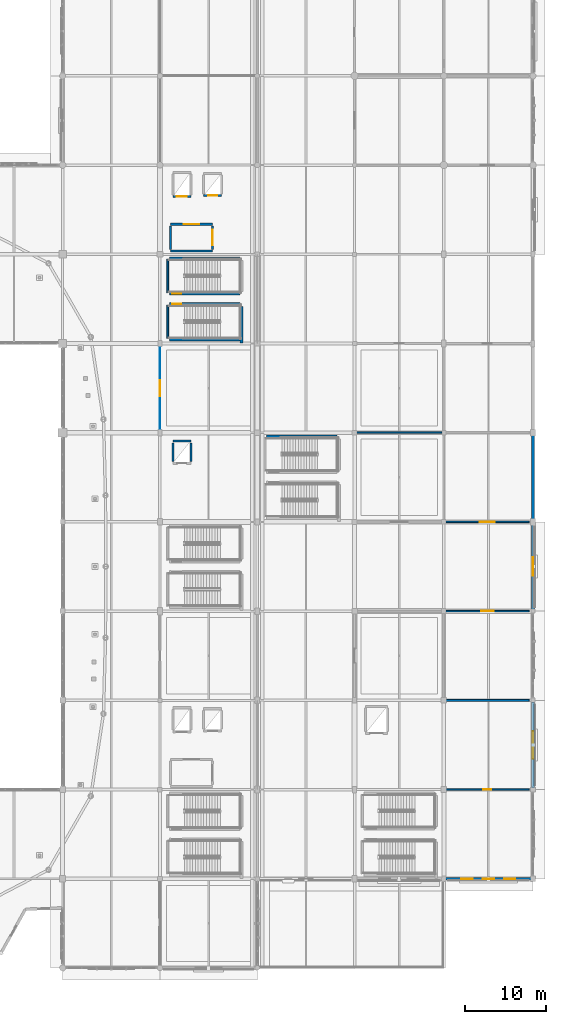
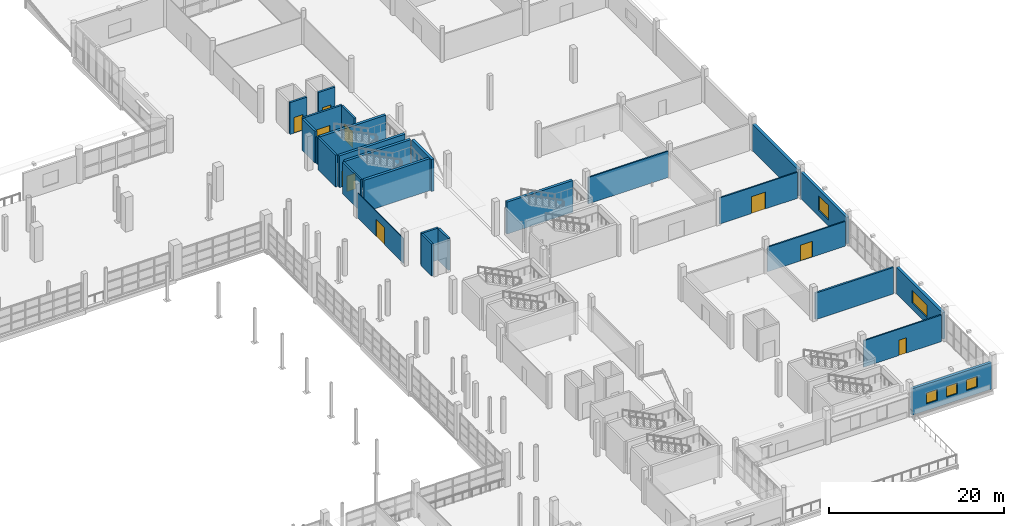
# One storey, part 99 of 143: 27 walls, 10 doors, 5 windows, 15 openings.
"""IFC4 building model written with IfcOpenShell, lengths in metres."""

from ifc_helpers import new_model, si_unit, direction, frame, frame_2d, origin, place, context, subcontext, project, spatial, rectangle, extrude, material, layer, layer_set, type_object, element, fill, save


model = new_model("IFC4")

# Units and contexts
model_context = context("Model", 3, precision=1e-05, world=origin(), true_north=direction((0.0, 1.0)))
body_context = subcontext(model_context, "Body", "Model", "MODEL_VIEW")
ifc_project = project(units=[si_unit("LENGTHUNIT", "METRE"), si_unit("AREAUNIT", "SQUARE_METRE"), si_unit("VOLUMEUNIT", "CUBIC_METRE"), si_unit("PLANEANGLEUNIT", "RADIAN"), si_unit("MASSUNIT", "GRAM", prefix="KILO")], contexts=[model_context])

# Site, building, storey
site_placement = place(None, origin())
site = spatial("IfcSite", under=ifc_project, at=site_placement, CompositionType="ELEMENT")
building_placement = place(site_placement, origin())
building = spatial("IfcBuilding", under=site, at=building_placement, Name="Luwafu Chhajja Arena", CompositionType="ELEMENT")
storey_placement = place(building_placement, frame((0.0, 0.0, 5.39990234375)))
storey = spatial("IfcBuildingStorey", under=building, at=storey_placement, Name="L01", CompositionType="ELEMENT", Elevation=5.39990234375)

# Walls
ifc_material_1 = material(Name="Concrete C40/50", Category="concrete")
ifc_layer_1 = layer(ifc_material_1, 0.3798828125, Name="Concrete C40/50")
ifc_layer_set_1 = layer_set([ifc_layer_1], Name="Concrete C40/50")
wall_type_1 = type_object("IfcWallType", Name="Boundary Party Wall 380", PredefinedType="SOLIDWALL", material=ifc_layer_set_1)
wall_1_placement = place(storey_placement, frame((198.0, 55.219970703125, 0.0), z_axis=(0.0, 0.0, 1.0), x_axis=(0.0, 1.0, 0.0)))
element("IfcWall", 1, at=wall_1_placement, inside=storey, type_object=wall_type_1, Name="L01 Exterior Wall WEX-L01-139", PredefinedType="SOLIDWALL", context=body_context, shape_type="SweptSolid", body=[
    extrude(rectangle(XDim=10.56005859375, YDim=0.3798828125, at=frame_2d((5.280029296875, 0.0))), origin(), (0.0, 0.0, 1.0), 3.705078125),
])
ifc_material_2 = material(Name="Concrete blockwork masonry", Category="masonry")
ifc_layer_2 = layer(ifc_material_2, 0.239990234375, Name="Concrete blockwork masonry")
ifc_layer_set_2 = layer_set([ifc_layer_2], Name="Concrete blockwork masonry")
wall_type_2 = type_object("IfcWallType", Name="Compartment Masonry Partition 240", PredefinedType="PARTITIONING", material=ifc_layer_set_2)
wall_2_placement = place(storey_placement, frame((187.219970703125, 33.0, 0.0), z_axis=(0.0, 0.0, 1.0), x_axis=(1.0, 0.0, 0.0)))
element("IfcWall", 2, at=wall_2_placement, inside=storey, type_object=wall_type_2, Name="L01 Internal Partition 0265", PredefinedType="PARTITIONING", context=body_context, shape_type="SweptSolid", body=[
    extrude(rectangle(XDim=10.300048828125, YDim=0.239990234375, at=frame_2d((5.14990234375, 0.0))), origin(), (0.0, 0.0, 1.0), 3.705078125),
])

# Wall, opening, door
ifc_material_3 = material(Name="Gypsum plasterboard partition")
ifc_layer_3 = layer(ifc_material_3, 0.10009765625, Name="Gypsum plasterboard partition")
ifc_layer_set_3 = layer_set([ifc_layer_3], Name="Gypsum plasterboard partition")
wall_type_3 = type_object("IfcWallType", Name="Drywall Lining Partition 100", PredefinedType="PARTITIONING", material=ifc_layer_set_3)
wall_3_placement = place(storey_placement, frame((152.0, 66.219970703125, 0.0), z_axis=(0.0, 0.0, 1.0), x_axis=(0.0, 1.0, 0.0)))
wall_3 = element("IfcWall", 3, at=wall_3_placement, inside=storey, type_object=wall_type_3, Name="L01 Internal Partition 0232", PredefinedType="PARTITIONING", context=body_context, shape_type="SweptSolid", body=[
    extrude(rectangle(XDim=10.56005859375, YDim=0.10009765625, at=frame_2d((5.280029296875, 0.0))), origin(), (0.0, 0.0, 1.0), 3.489990234375),
])
opening_1_placement = place(wall_3_placement, frame((4.304931640625, 0.0, 0.0)))
opening_1 = element("IfcOpeningElement", 4, at=opening_1_placement, cuts=wall_3, Name="Opening DR-25", PredefinedType="OPENING", context=body_context, shape_type="SweptSolid", body=[
    extrude(rectangle(XDim=1.949951171875, YDim=2.39990234375, at=frame_2d((0.97509765625, 1.199951171875))), frame((0.0, 0.06005859375, 0.0), z_axis=(0.0, -1.0, 0.0), x_axis=(1.0, 0.0, 0.0)), (0.0, 0.0, 1.0), 0.1201171875),
])
ifc_material_4 = material(Name="Anodised bronze glazed double door")
door_type_1 = type_object("IfcDoorType", Name="DR-25", OperationType="DOUBLE_DOOR_SINGLE_SWING", PredefinedType="DOOR", material=ifc_material_4)
door_1_placement = place(opening_1_placement, origin())
door_1 = element("IfcDoor", 5, at=door_1_placement, inside=storey, type_object=door_type_1, Name="L01 Interior Door L01-D043", OperationType="DOUBLE_DOOR_SINGLE_SWING", OverallHeight=2.39990234375, OverallWidth=1.949951171875, PredefinedType="DOOR", context=body_context, shape_type="SweptSolid", body=[
    extrude(rectangle(XDim=1.949951171875, YDim=2.39990234375, at=frame_2d((0.97509765625, 1.199951171875))), frame((0.0, 0.02490234375, 0.0), z_axis=(0.0, -1.0, 0.0), x_axis=(1.0, 0.0, 0.0)), (0.0, 0.0, 1.0), 0.050048828125),
])
fill(opening_1, door_1)

ifc_layer_4 = layer(ifc_material_1, 0.260009765625, Name="Concrete C40/50")
ifc_layer_set_4 = layer_set([ifc_layer_4], Name="Concrete C40/50")
wall_type_4 = type_object("IfcWallType", Name="Firefighting Lobby Wall 260", PredefinedType="SOLIDWALL", material=ifc_layer_set_4)
wall_4_placement = place(storey_placement, frame((153.300048828125, 91.699951171875, 0.0), z_axis=(0.0, 0.0, 1.0), x_axis=(1.0, 0.0, 0.0)))
wall_4 = element("IfcWall", 6, at=wall_4_placement, inside=storey, type_object=wall_type_4, Name="L01 Core C4 Firefighting Lobby Wall N", PredefinedType="SOLIDWALL", context=body_context, shape_type="SweptSolid", body=[
    extrude(rectangle(XDim=5.199951171875, YDim=0.260009765625, at=frame_2d((2.60009765625, 0.0))), origin(), (0.0, 0.0, 1.0), 4.460205078125),
])
opening_2_placement = place(wall_4_placement, frame((1.64990234375, 0.0, 0.0)))
opening_2 = element("IfcOpeningElement", 7, at=opening_2_placement, cuts=wall_4, Name="Opening DR-07", PredefinedType="OPENING", context=body_context, shape_type="SweptSolid", body=[
    extrude(rectangle(XDim=1.89990234375, YDim=2.199951171875, at=frame_2d((0.949951171875, 1.10009765625))), frame((0.0, 0.139892578125, 0.0), z_axis=(0.0, -1.0, 0.0), x_axis=(1.0, 0.0, 0.0)), (0.0, 0.0, 1.0), 0.280029296875),
])
ifc_material_5 = material(Name="Fire-rated hardwood and vision panel", Category="wood")
door_type_2 = type_object("IfcDoorType", Name="DR-07", OperationType="DOUBLE_DOOR_SINGLE_SWING", PredefinedType="DOOR", material=ifc_material_5)
door_2_placement = place(opening_2_placement, origin())
door_2 = element("IfcDoor", 8, at=door_2_placement, inside=storey, type_object=door_type_2, Name="L01 Firefighting Lobby C4 Door L01-D015", OperationType="DOUBLE_DOOR_SINGLE_SWING", OverallHeight=2.199951171875, OverallWidth=1.89990234375, PredefinedType="DOOR", context=body_context, shape_type="SweptSolid", body=[
    extrude(rectangle(XDim=1.89990234375, YDim=2.199951171875, at=frame_2d((0.949951171875, 1.10009765625))), frame((0.0, 0.02490234375, 0.0), z_axis=(0.0, -1.0, 0.0), x_axis=(1.0, 0.0, 0.0)), (0.0, 0.0, 1.0), 0.050048828125),
])
fill(opening_2, door_2)

# Walls
wall_5_placement = place(storey_placement, frame((153.300048828125, 88.39990234375, 0.0), z_axis=(0.0, 0.0, 1.0), x_axis=(1.0, 0.0, 0.0)))
element("IfcWall", 9, at=wall_5_placement, inside=storey, type_object=wall_type_4, Name="L01 Core C4 Firefighting Lobby Wall S", PredefinedType="SOLIDWALL", context=body_context, shape_type="SweptSolid", body=[
    extrude(rectangle(XDim=5.199951171875, YDim=0.260009765625, at=frame_2d((2.60009765625, 0.0))), origin(), (0.0, 0.0, 1.0), 3.77001953125),
])
wall_6_placement = place(storey_placement, frame((153.300048828125, 88.60009765625, 0.0), z_axis=(0.0, 0.0, 1.0), x_axis=(0.0, 1.0, 0.0)))
element("IfcWall", 10, at=wall_6_placement, inside=storey, type_object=wall_type_4, Name="L01 Core C4 Firefighting Lobby Wall W", PredefinedType="SOLIDWALL", context=body_context, shape_type="SweptSolid", body=[
    extrude(rectangle(XDim=2.89990234375, YDim=0.260009765625, at=frame_2d((1.449951171875, 0.0))), origin(), (0.0, 0.0, 1.0), 4.460205078125),
])

# Wall, opening, door
wall_7_placement = place(storey_placement, frame((158.5, 88.60009765625, 0.0), z_axis=(0.0, 0.0, 1.0), x_axis=(0.0, 1.0, 0.0)))
wall_7 = element("IfcWall", 11, at=wall_7_placement, inside=storey, type_object=wall_type_4, Name="L01 Core C4 Firefighting Lobby Wall E", PredefinedType="SOLIDWALL", context=body_context, shape_type="SweptSolid", body=[
    extrude(rectangle(XDim=2.89990234375, YDim=0.260009765625, at=frame_2d((1.449951171875, 0.0))), origin(), (0.0, 0.0, 1.0), 4.460205078125),
])
opening_3_placement = place(wall_7_placement, frame((0.5, 0.0, 0.0)))
opening_3 = element("IfcOpeningElement", 12, at=opening_3_placement, cuts=wall_7, Name="Opening DR-07", PredefinedType="OPENING", context=body_context, shape_type="SweptSolid", body=[
    extrude(rectangle(XDim=1.89990234375, YDim=2.199951171875, at=frame_2d((0.949951171875, 1.10009765625))), frame((0.0, 0.139892578125, 0.0), z_axis=(0.0, -1.0, 0.0), x_axis=(1.0, 0.0, 0.0)), (0.0, 0.0, 1.0), 0.280029296875),
])
door_3_placement = place(opening_3_placement, origin())
door_3 = element("IfcDoor", 13, at=door_3_placement, inside=storey, type_object=door_type_2, Name="L01 Firefighting Lobby C4 Door L01-D016", OperationType="DOUBLE_DOOR_SINGLE_SWING", OverallHeight=2.199951171875, OverallWidth=1.89990234375, PredefinedType="DOOR", context=body_context, shape_type="SweptSolid", body=[
    extrude(rectangle(XDim=1.89990234375, YDim=2.199951171875, at=frame_2d((0.949951171875, 1.10009765625))), frame((0.0, 0.02490234375, 0.0), z_axis=(0.0, -1.0, 0.0), x_axis=(1.0, 0.0, 0.0)), (0.0, 0.0, 1.0), 0.050048828125),
])
fill(opening_3, door_3)

ifc_layer_5 = layer(ifc_material_2, 0.179931640625, Name="Concrete blockwork masonry")
ifc_layer_set_5 = layer_set([ifc_layer_5], Name="Concrete blockwork masonry")
wall_type_5 = type_object("IfcWallType", Name="Hospitality Suite Partition 180", PredefinedType="PARTITIONING", material=ifc_layer_set_5)
wall_8_placement = place(storey_placement, frame((187.219970703125, 22.0, 0.0), z_axis=(0.0, 0.0, 1.0), x_axis=(1.0, 0.0, 0.0)))
wall_8 = element("IfcWall", 14, at=wall_8_placement, inside=storey, type_object=wall_type_5, Name="L01 Internal Partition 0245", PredefinedType="PARTITIONING", context=body_context, shape_type="SweptSolid", body=[
    extrude(rectangle(XDim=10.300048828125, YDim=0.179931640625, at=frame_2d((5.14990234375, 0.0))), origin(), (0.0, 0.0, 1.0), 3.705078125),
])
opening_4_placement = place(wall_8_placement, frame((4.64990234375, 0.0, 0.0)))
opening_4 = element("IfcOpeningElement", 15, at=opening_4_placement, cuts=wall_8, Name="Opening DR-18", PredefinedType="OPENING", context=body_context, shape_type="SweptSolid", body=[
    extrude(rectangle(XDim=1.0, YDim=2.14990234375, at=frame_2d((0.5, 1.074951171875))), frame((0.0, 0.099853515625, 0.0), z_axis=(0.0, -1.0, 0.0), x_axis=(1.0, 0.0, 0.0)), (0.0, 0.0, 1.0), 0.199951171875),
])
ifc_material_6 = material(Name="Solid-core moisture-resistant laminate leaf")
door_type_3 = type_object("IfcDoorType", Name="DR-18", OperationType="NOTDEFINED", PredefinedType="DOOR", material=ifc_material_6)
door_4_placement = place(opening_4_placement, origin())
door_4 = element("IfcDoor", 16, at=door_4_placement, inside=storey, type_object=door_type_3, Name="L01 Interior Door L01-D051", OperationType="SINGLE_SWING_RIGHT", OverallHeight=2.14990234375, OverallWidth=1.0, PredefinedType="DOOR", context=body_context, shape_type="SweptSolid", body=[
    extrude(rectangle(XDim=1.0, YDim=2.14990234375, at=frame_2d((0.5, 1.074951171875))), frame((0.0, 0.02490234375, 0.0), z_axis=(0.0, -1.0, 0.0), x_axis=(1.0, 0.0, 0.0)), (0.0, 0.0, 1.0), 0.050048828125),
])
fill(opening_4, door_4)

wall_9_placement = place(storey_placement, frame((187.219970703125, 44.0, 0.0), z_axis=(0.0, 0.0, 1.0), x_axis=(1.0, 0.0, 0.0)))
wall_9 = element("IfcWall", 17, at=wall_9_placement, inside=storey, type_object=wall_type_5, Name="L01 Internal Partition 0246", PredefinedType="PARTITIONING", context=body_context, shape_type="SweptSolid", body=[
    extrude(rectangle(XDim=10.300048828125, YDim=0.179931640625, at=frame_2d((5.14990234375, 0.0))), origin(), (0.0, 0.0, 1.0), 3.440185546875),
])
opening_5_placement = place(wall_9_placement, frame((4.3701171875, 0.0, 0.0)))
opening_5 = element("IfcOpeningElement", 18, at=opening_5_placement, cuts=wall_9, Name="Opening DR-19", PredefinedType="OPENING", context=body_context, shape_type="SweptSolid", body=[
    extrude(rectangle(XDim=1.56005859375, YDim=2.199951171875, at=frame_2d((0.780029296875, 1.10009765625))), frame((0.0, 0.099853515625, 0.0), z_axis=(0.0, -1.0, 0.0), x_axis=(1.0, 0.0, 0.0)), (0.0, 0.0, 1.0), 0.199951171875),
])
door_type_4 = type_object("IfcDoorType", Name="DR-19", OperationType="DOUBLE_DOOR_SINGLE_SWING", PredefinedType="DOOR", material=ifc_material_6)
door_5_placement = place(opening_5_placement, origin())
door_5 = element("IfcDoor", 19, at=door_5_placement, inside=storey, type_object=door_type_4, Name="L01 Interior Door L01-D052", OperationType="DOUBLE_DOOR_SINGLE_SWING", OverallHeight=2.199951171875, OverallWidth=1.56005859375, PredefinedType="DOOR", context=body_context, shape_type="SweptSolid", body=[
    extrude(rectangle(XDim=1.56005859375, YDim=2.199951171875, at=frame_2d((0.780029296875, 1.10009765625))), frame((0.0, 0.02490234375, 0.0), z_axis=(0.0, -1.0, 0.0), x_axis=(1.0, 0.0, 0.0)), (0.0, 0.0, 1.0), 0.050048828125),
])
fill(opening_5, door_5)

wall_10_placement = place(storey_placement, frame((187.219970703125, 55.0, 0.0), z_axis=(0.0, 0.0, 1.0), x_axis=(1.0, 0.0, 0.0)))
wall_10 = element("IfcWall", 20, at=wall_10_placement, inside=storey, type_object=wall_type_5, Name="L01 Internal Partition 0247", PredefinedType="PARTITIONING", context=body_context, shape_type="SweptSolid", body=[
    extrude(rectangle(XDim=10.300048828125, YDim=0.179931640625, at=frame_2d((5.14990234375, 0.0))), origin(), (0.0, 0.0, 1.0), 3.64013671875),
])
opening_6_placement = place(wall_10_placement, frame((4.22509765625, 0.0, 0.0)))
opening_6 = element("IfcOpeningElement", 21, at=opening_6_placement, cuts=wall_10, Name="Opening DR-15", PredefinedType="OPENING", context=body_context, shape_type="SweptSolid", body=[
    extrude(rectangle(XDim=1.85009765625, YDim=2.35009765625, at=frame_2d((0.925048828125, 1.175048828125))), frame((0.0, 0.099853515625, 0.0), z_axis=(0.0, -1.0, 0.0), x_axis=(1.0, 0.0, 0.0)), (0.0, 0.0, 1.0), 0.199951171875),
])
ifc_material_7 = material(Name="Anodised bronze and acoustic glass", Category="glass")
door_type_5 = type_object("IfcDoorType", Name="DR-15", OperationType="DOUBLE_DOOR_SINGLE_SWING", PredefinedType="DOOR", material=ifc_material_7)
door_6_placement = place(opening_6_placement, origin())
door_6 = element("IfcDoor", 22, at=door_6_placement, inside=storey, type_object=door_type_5, Name="L01 Interior Door L01-D053", OperationType="DOUBLE_DOOR_SINGLE_SWING", OverallHeight=2.35009765625, OverallWidth=1.85009765625, PredefinedType="DOOR", context=body_context, shape_type="SweptSolid", body=[
    extrude(rectangle(XDim=1.85009765625, YDim=2.35009765625, at=frame_2d((0.925048828125, 1.175048828125))), frame((0.0, 0.02490234375, 0.0), z_axis=(0.0, -1.0, 0.0), x_axis=(1.0, 0.0, 0.0)), (0.0, 0.0, 1.0), 0.050048828125),
])
fill(opening_6, door_6)

# Wall
wall_11_placement = place(storey_placement, frame((176.219970703125, 66.0, 0.0), z_axis=(0.0, 0.0, 1.0), x_axis=(1.0, 0.0, 0.0)))
element("IfcWall", 23, at=wall_11_placement, inside=storey, type_object=wall_type_5, Name="L01 Internal Partition 0259", PredefinedType="PARTITIONING", context=body_context, shape_type="SweptSolid", body=[
    extrude(rectangle(XDim=10.570068359375, YDim=0.179931640625, at=frame_2d((5.28515625, 0.0))), origin(), (0.0, 0.0, 1.0), 3.690185546875),
])

# Wall, opening, door
ifc_material_8 = material(Name="Concrete C35/45", Category="concrete")
ifc_layer_6 = layer(ifc_material_8, 0.260009765625, Name="Concrete C35/45")
ifc_layer_set_6 = layer_set([ifc_layer_6], Name="Concrete C35/45")
wall_type_6 = type_object("IfcWallType", Name="Lift and Riser Shaft Wall 260", PredefinedType="SOLIDWALL", material=ifc_layer_set_6)
wall_12_placement = place(storey_placement, frame((153.590087890625, 95.114990234375, 0.0), z_axis=(0.0, 0.0, 1.0), x_axis=(1.0, 0.0, 0.0)))
wall_12 = element("IfcWall", 24, at=wall_12_placement, inside=storey, type_object=wall_type_6, Name="L01 Lift LF-04 Shaft Wall S", PredefinedType="SOLIDWALL", context=body_context, shape_type="SweptSolid", body=[
    extrude(rectangle(XDim=2.219970703125, YDim=0.260009765625, at=frame_2d((1.10986328125, 0.0))), origin(), (0.0, 0.0, 1.0), 4.460205078125),
])
opening_7_placement = place(wall_12_placement, frame((0.510009765625, 0.0, 0.0)))
opening_7 = element("IfcOpeningElement", 25, at=opening_7_placement, cuts=wall_12, Name="Opening LD-02", PredefinedType="OPENING", context=body_context, shape_type="SweptSolid", body=[
    extrude(rectangle(XDim=1.199951171875, YDim=2.199951171875, at=frame_2d((0.60009765625, 1.10009765625))), frame((0.0, 0.139892578125, 0.0), z_axis=(0.0, -1.0, 0.0), x_axis=(1.0, 0.0, 0.0)), (0.0, 0.0, 1.0), 0.280029296875),
])
ifc_material_9 = material(Name="Brushed stainless steel sliding leaves", Category="steel")
door_type_6 = type_object("IfcDoorType", Name="LD-02", OperationType="SLIDING_TO_LEFT", PredefinedType="DOOR", material=ifc_material_9)
door_7_placement = place(opening_7_placement, origin())
door_7 = element("IfcDoor", 26, at=door_7_placement, inside=storey, type_object=door_type_6, Name="L01 Lift LF-04 Landing Door L01-LD07", OperationType="SLIDING_TO_LEFT", OverallHeight=2.199951171875, OverallWidth=1.199951171875, PredefinedType="DOOR", context=body_context, shape_type="SweptSolid", body=[
    extrude(rectangle(XDim=1.199951171875, YDim=2.199951171875, at=frame_2d((0.60009765625, 1.10009765625))), frame((0.0, 0.02490234375, 0.0), z_axis=(0.0, -1.0, 0.0), x_axis=(1.0, 0.0, 0.0)), (0.0, 0.0, 1.0), 0.050048828125),
])
fill(opening_7, door_7)

wall_13_placement = place(storey_placement, frame((157.389892578125, 95.239990234375, 0.0), z_axis=(0.0, 0.0, 1.0), x_axis=(1.0, 0.0, 0.0)))
wall_13 = element("IfcWall", 27, at=wall_13_placement, inside=storey, type_object=wall_type_6, Name="L01 Lift LF-08 Shaft Wall S", PredefinedType="SOLIDWALL", context=body_context, shape_type="SweptSolid", body=[
    extrude(rectangle(XDim=2.22021484375, YDim=0.260009765625, at=frame_2d((1.110107421875, 0.0))), origin(), (0.0, 0.0, 1.0), 4.460205078125),
])
opening_8_placement = place(wall_13_placement, frame((0.56005859375, 0.0, 0.0)))
opening_8 = element("IfcOpeningElement", 28, at=opening_8_placement, cuts=wall_13, Name="Opening LD-01", PredefinedType="OPENING", context=body_context, shape_type="SweptSolid", body=[
    extrude(rectangle(XDim=1.10009765625, YDim=2.14990234375, at=frame_2d((0.550048828125, 1.074951171875))), frame((0.0, 0.139892578125, 0.0), z_axis=(0.0, -1.0, 0.0), x_axis=(1.0, 0.0, 0.0)), (0.0, 0.0, 1.0), 0.280029296875),
])
door_type_7 = type_object("IfcDoorType", Name="LD-01", OperationType="SLIDING_TO_LEFT", PredefinedType="DOOR", material=ifc_material_9)
door_8_placement = place(opening_8_placement, origin())
door_8 = element("IfcDoor", 29, at=door_8_placement, inside=storey, type_object=door_type_7, Name="L01 Lift LF-08 Landing Door L01-LD08", OperationType="SLIDING_TO_LEFT", OverallHeight=2.14990234375, OverallWidth=1.10009765625, PredefinedType="DOOR", context=body_context, shape_type="SweptSolid", body=[
    extrude(rectangle(XDim=1.10009765625, YDim=2.14990234375, at=frame_2d((0.550048828125, 1.074951171875))), frame((0.0, 0.02490234375, 0.0), z_axis=(0.0, -1.0, 0.0), x_axis=(1.0, 0.0, 0.0)), (0.0, 0.0, 1.0), 0.050048828125),
])
fill(opening_8, door_8)

# Walls
wall_14_placement = place(storey_placement, frame((153.590087890625, 64.9599609375, 0.0), z_axis=(0.0, 0.0, 1.0), x_axis=(1.0, 0.0, 0.0)))
element("IfcWall", 30, at=wall_14_placement, inside=storey, type_object=wall_type_6, Name="L01 Lift LF-10 Shaft Wall N", PredefinedType="SOLIDWALL", context=body_context, shape_type="SweptSolid", body=[
    extrude(rectangle(XDim=2.219970703125, YDim=0.260009765625, at=frame_2d((1.10986328125, 0.0))), origin(), (0.0, 0.0, 1.0), 4.460205078125),
])
for number, where, z_axis, x_axis, name in (
    (31, (153.590087890625, 62.43994140625, 0.0), (0.0, 0.0, 1.0), (0.0, 1.0, 0.0), "L01 Lift LF-10 Shaft Wall W"),
    (32, (155.81005859375, 62.43994140625, 0.0), (0.0, 0.0, 1.0), (0.0, 1.0, 0.0), "L01 Lift LF-10 Shaft Wall E"),
):
    element("IfcWall", number, at=place(storey_placement, frame(where, z_axis=z_axis, x_axis=x_axis)), inside=storey, type_object=wall_type_6, Name=name, PredefinedType="SOLIDWALL", context=body_context, shape_type="SweptSolid", body=[
        extrude(rectangle(XDim=2.320068359375, YDim=0.260009765625, at=frame_2d((1.16015625, 0.0))), origin(), (0.0, 0.0, 1.0), 4.460205078125),
    ])
ifc_layer_7 = layer(ifc_material_1, 0.35009765625, Name="Concrete C40/50")
ifc_layer_set_7 = layer_set([ifc_layer_7], Name="Concrete C40/50")
wall_type_7 = type_object("IfcWallType", Name="RC Core Shear Wall 350", PredefinedType="SOLIDWALL", material=ifc_layer_set_7)
wall_15_placement = place(storey_placement, frame((162.072021484375, 77.050048828125, 0.0), z_axis=(0.0, 0.0, 1.0), x_axis=(0.0, 1.0, 0.0)))
element("IfcWall", 33, at=wall_15_placement, inside=storey, type_object=wall_type_7, Name="L01 Stair ST-07 Core Shear Wall E", PredefinedType="SOLIDWALL", context=body_context, shape_type="SweptSolid", body=[
    extrude(rectangle(XDim=4.5400390625, YDim=0.35009765625, at=frame_2d((2.27001953125, 0.0))), origin(), (0.0, 0.0, 1.0), 4.460205078125),
])
wall_16_placement = place(storey_placement, frame((153.14990234375, 77.47802734375, 0.0), z_axis=(0.0, 0.0, 1.0), x_axis=(1.0, 0.0, 0.0)))
element("IfcWall", 34, at=wall_16_placement, inside=storey, type_object=wall_type_7, Name="L01 Stair ST-07 Core Shear Wall S", PredefinedType="SOLIDWALL", context=body_context, shape_type="SweptSolid", body=[
    extrude(rectangle(XDim=8.7001953125, YDim=0.35009765625, at=frame_2d((4.35009765625, 0.0))), origin(), (0.0, 0.0, 1.0), 4.460205078125),
])

# Wall, opening, door
wall_17_placement = place(storey_placement, frame((153.14990234375, 81.862060546875, 0.0), z_axis=(0.0, 0.0, 1.0), x_axis=(1.0, 0.0, 0.0)))
wall_17 = element("IfcWall", 35, at=wall_17_placement, inside=storey, type_object=wall_type_7, Name="L01 Stair ST-07 Core Shear Wall N", PredefinedType="SOLIDWALL", context=body_context, shape_type="SweptSolid", body=[
    extrude(rectangle(XDim=8.7001953125, YDim=0.35009765625, at=frame_2d((4.35009765625, 0.0))), origin(), (0.0, 0.0, 1.0), 4.460205078125),
])
opening_9_placement = place(wall_17_placement, frame((0.35009765625, 0.0, 0.0)))
opening_9 = element("IfcOpeningElement", 36, at=opening_9_placement, cuts=wall_17, Name="Opening DR-06", PredefinedType="OPENING", context=body_context, shape_type="SweptSolid", body=[
    extrude(rectangle(XDim=1.14990234375, YDim=2.199951171875, at=frame_2d((0.574951171875, 1.10009765625))), frame((0.0, 0.18505859375, 0.0), z_axis=(0.0, -1.0, 0.0), x_axis=(1.0, 0.0, 0.0)), (0.0, 0.0, 1.0), 0.3701171875),
])
ifc_material_10 = material(Name="Fire-rated hardwood and steel core", Category="steel")
door_type_8 = type_object("IfcDoorType", Name="DR-06", OperationType="NOTDEFINED", PredefinedType="DOOR", material=ifc_material_10)
door_9_placement = place(opening_9_placement, origin())
door_9 = element("IfcDoor", 37, at=door_9_placement, inside=storey, type_object=door_type_8, Name="L01 Escape Stair ST-07 Fire Door L01-D013", OperationType="SINGLE_SWING_RIGHT", OverallHeight=2.199951171875, OverallWidth=1.14990234375, PredefinedType="DOOR", context=body_context, shape_type="SweptSolid", body=[
    extrude(rectangle(XDim=1.14990234375, YDim=2.199951171875, at=frame_2d((0.574951171875, 1.10009765625))), frame((0.0, 0.02490234375, 0.0), z_axis=(0.0, -1.0, 0.0), x_axis=(1.0, 0.0, 0.0)), (0.0, 0.0, 1.0), 0.050048828125),
])
fill(opening_9, door_9)

wall_18_placement = place(storey_placement, frame((153.14990234375, 83.137939453125, 0.0), z_axis=(0.0, 0.0, 1.0), x_axis=(1.0, 0.0, 0.0)))
wall_18 = element("IfcWall", 38, at=wall_18_placement, inside=storey, type_object=wall_type_7, Name="L01 Stair ST-08 Core Shear Wall S", PredefinedType="SOLIDWALL", context=body_context, shape_type="SweptSolid", body=[
    extrude(rectangle(XDim=8.7001953125, YDim=0.35009765625, at=frame_2d((4.35009765625, 0.0))), origin(), (0.0, 0.0, 1.0), 4.460205078125),
])
opening_10_placement = place(wall_18_placement, frame((0.35009765625, 0.0, 0.0)))
opening_10 = element("IfcOpeningElement", 39, at=opening_10_placement, cuts=wall_18, Name="Opening DR-06", PredefinedType="OPENING", context=body_context, shape_type="SweptSolid", body=[
    extrude(rectangle(XDim=1.14990234375, YDim=2.199951171875, at=frame_2d((0.574951171875, 1.10009765625))), frame((0.0, 0.18505859375, 0.0), z_axis=(0.0, -1.0, 0.0), x_axis=(1.0, 0.0, 0.0)), (0.0, 0.0, 1.0), 0.3701171875),
])
door_10_placement = place(opening_10_placement, origin())
door_10 = element("IfcDoor", 40, at=door_10_placement, inside=storey, type_object=door_type_8, Name="L01 Escape Stair ST-08 Fire Door L01-D014", OperationType="SINGLE_SWING_LEFT", OverallHeight=2.199951171875, OverallWidth=1.14990234375, PredefinedType="DOOR", context=body_context, shape_type="SweptSolid", body=[
    extrude(rectangle(XDim=1.14990234375, YDim=2.199951171875, at=frame_2d((0.574951171875, 1.10009765625))), frame((0.0, 0.02490234375, 0.0), z_axis=(0.0, -1.0, 0.0), x_axis=(1.0, 0.0, 0.0)), (0.0, 0.0, 1.0), 0.050048828125),
])
fill(opening_10, door_10)

# Walls
for number, where, z_axis, x_axis, name in (
    (41, (153.14990234375, 87.52197265625, 0.0), (0.0, 0.0, 1.0), (1.0, 0.0, 0.0), "L01 Stair ST-08 Core Shear Wall N"),
    (42, (165.14990234375, 65.52197265625, 0.0), (0.0, 0.0, 1.0), (1.0, 0.0, 0.0), "L01 Stair ST-20 Core Shear Wall N"),
):
    element("IfcWall", number, at=place(storey_placement, frame(where, z_axis=z_axis, x_axis=x_axis)), inside=storey, type_object=wall_type_7, Name=name, PredefinedType="SOLIDWALL", context=body_context, shape_type="SweptSolid", body=[
        extrude(rectangle(XDim=8.7001953125, YDim=0.35009765625, at=frame_2d((4.35009765625, 0.0))), origin(), (0.0, 0.0, 1.0), 4.460205078125),
    ])

# Wall, openings, windows
ifc_layer_8 = layer(ifc_material_8, 0.360107421875, Name="Concrete C35/45")
ifc_layer_set_8 = layer_set([ifc_layer_8], Name="Concrete C35/45")
wall_type_8 = type_object("IfcWallType", Name="Sandstone Backed Exterior Wall 360", PredefinedType="SOLIDWALL", material=ifc_layer_set_8)
wall_19_placement = place(storey_placement, frame((187.219970703125, 11.0, 0.0), z_axis=(0.0, 0.0, 1.0), x_axis=(1.0, 0.0, 0.0)))
wall_19 = element("IfcWall", 43, at=wall_19_placement, inside=storey, type_object=wall_type_8, Name="L01 Exterior Wall WEX-L01-136", PredefinedType="SOLIDWALL", context=body_context, shape_type="SweptSolid", body=[
    extrude(rectangle(XDim=10.56005859375, YDim=0.360107421875, at=frame_2d((5.280029296875, 0.0))), origin(), (0.0, 0.0, 1.0), 3.705078125),
])
opening_11_placement = place(wall_19_placement, frame((1.93994140625, 0.0, 0.949951171875)))
opening_11 = element("IfcOpeningElement", 44, at=opening_11_placement, cuts=wall_19, Name="Opening WN-14", PredefinedType="OPENING", context=body_context, shape_type="SweptSolid", body=[
    extrude(rectangle(XDim=1.39990234375, YDim=1.5, at=frame_2d((0.699951171875, 0.75))), frame((0.0, 0.18994140625, 0.0), z_axis=(0.0, -1.0, 0.0), x_axis=(1.0, 0.0, 0.0)), (0.0, 0.0, 1.0), 0.380126953125),
])
opening_12_placement = place(wall_19_placement, frame((4.580078125, 0.0, 0.949951171875)))
opening_12 = element("IfcOpeningElement", 45, at=opening_12_placement, cuts=wall_19, Name="Opening WN-14", PredefinedType="OPENING", context=body_context, shape_type="SweptSolid", body=[
    extrude(rectangle(XDim=1.39990234375, YDim=1.5, at=frame_2d((0.699951171875, 0.75))), frame((0.0, 0.18994140625, 0.0), z_axis=(0.0, -1.0, 0.0), x_axis=(1.0, 0.0, 0.0)), (0.0, 0.0, 1.0), 0.380126953125),
])
opening_13_placement = place(wall_19_placement, frame((7.219970703125, 0.0, 0.949951171875)))
opening_13 = element("IfcOpeningElement", 46, at=opening_13_placement, cuts=wall_19, Name="Opening WN-14", PredefinedType="OPENING", context=body_context, shape_type="SweptSolid", body=[
    extrude(rectangle(XDim=1.39990234375, YDim=1.5, at=frame_2d((0.699951171875, 0.75))), frame((0.0, 0.18994140625, 0.0), z_axis=(0.0, -1.0, 0.0), x_axis=(1.0, 0.0, 0.0)), (0.0, 0.0, 1.0), 0.380126953125),
])
ifc_material_11 = material(Name="Solar-control laminated glass", Category="glass")
window_type_1 = type_object("IfcWindowType", Name="Sports Medicine Clinic Frosted Window 1400x1500", PartitioningType="SINGLE_PANEL", PredefinedType="WINDOW", material=ifc_material_11)
window_1_placement = place(opening_11_placement, origin())
window_1 = element("IfcWindow", 47, at=window_1_placement, inside=storey, type_object=window_type_1, Name="L01 Facade Window 056", OverallHeight=1.5, OverallWidth=1.39990234375, PartitioningType="SINGLE_PANEL", PredefinedType="WINDOW", context=body_context, shape_type="SweptSolid", body=[
    extrude(rectangle(XDim=1.39990234375, YDim=1.5, at=frame_2d((0.699951171875, 0.75))), frame((0.0, 0.030029296875, 0.0), z_axis=(0.0, -1.0, 0.0), x_axis=(1.0, 0.0, 0.0)), (0.0, 0.0, 1.0), 0.06005859375),
])
fill(opening_11, window_1)
window_2_placement = place(opening_12_placement, origin())
window_2 = element("IfcWindow", 48, at=window_2_placement, inside=storey, type_object=window_type_1, Name="L01 Facade Window 057", OverallHeight=1.5, OverallWidth=1.39990234375, PartitioningType="SINGLE_PANEL", PredefinedType="WINDOW", context=body_context, shape_type="SweptSolid", body=[
    extrude(rectangle(XDim=1.39990234375, YDim=1.5, at=frame_2d((0.699951171875, 0.75))), frame((0.0, 0.030029296875, 0.0), z_axis=(0.0, -1.0, 0.0), x_axis=(1.0, 0.0, 0.0)), (0.0, 0.0, 1.0), 0.06005859375),
])
fill(opening_12, window_2)
window_3_placement = place(opening_13_placement, origin())
window_3 = element("IfcWindow", 49, at=window_3_placement, inside=storey, type_object=window_type_1, Name="L01 Facade Window 058", OverallHeight=1.5, OverallWidth=1.39990234375, PartitioningType="SINGLE_PANEL", PredefinedType="WINDOW", context=body_context, shape_type="SweptSolid", body=[
    extrude(rectangle(XDim=1.39990234375, YDim=1.5, at=frame_2d((0.699951171875, 0.75))), frame((0.0, 0.030029296875, 0.0), z_axis=(0.0, -1.0, 0.0), x_axis=(1.0, 0.0, 0.0)), (0.0, 0.0, 1.0), 0.06005859375),
])
fill(opening_13, window_3)

# Wall, opening, window
wall_20_placement = place(storey_placement, frame((198.0, 22.219970703125, 0.0), z_axis=(0.0, 0.0, 1.0), x_axis=(0.0, 1.0, 0.0)))
wall_20 = element("IfcWall", 50, at=wall_20_placement, inside=storey, type_object=wall_type_8, Name="L01 Exterior Wall WEX-L01-137", PredefinedType="SOLIDWALL", context=body_context, shape_type="SweptSolid", body=[
    extrude(rectangle(XDim=10.56005859375, YDim=0.360107421875, at=frame_2d((5.280029296875, 0.0))), origin(), (0.0, 0.0, 1.0), 3.705078125),
])
opening_14_placement = place(wall_20_placement, frame((3.580078125, 0.0, 0.89990234375)))
opening_14 = element("IfcOpeningElement", 51, at=opening_14_placement, cuts=wall_20, Name="Opening WN-18", PredefinedType="OPENING", context=body_context, shape_type="SweptSolid", body=[
    extrude(rectangle(XDim=3.39990234375, YDim=1.75, at=frame_2d((1.699951171875, 0.875))), frame((0.0, 0.18994140625, 0.0), z_axis=(0.0, -1.0, 0.0), x_axis=(1.0, 0.0, 0.0)), (0.0, 0.0, 1.0), 0.380126953125),
])
window_type_2 = type_object("IfcWindowType", Name="VIP Dining Panoramic Window 3400x1750", PartitioningType="SINGLE_PANEL", PredefinedType="WINDOW", material=ifc_material_11)
window_4_placement = place(opening_14_placement, origin())
window_4 = element("IfcWindow", 52, at=window_4_placement, inside=storey, type_object=window_type_2, Name="L01 Facade Window 059", OverallHeight=1.75, OverallWidth=3.39990234375, PartitioningType="SINGLE_PANEL", PredefinedType="WINDOW", context=body_context, shape_type="SweptSolid", body=[
    extrude(rectangle(XDim=3.39990234375, YDim=1.75, at=frame_2d((1.699951171875, 0.875))), frame((0.0, 0.030029296875, 0.0), z_axis=(0.0, -1.0, 0.0), x_axis=(1.0, 0.0, 0.0)), (0.0, 0.0, 1.0), 0.06005859375),
])
fill(opening_14, window_4)

wall_21_placement = place(storey_placement, frame((198.0, 44.2099609375, 0.0), z_axis=(0.0, 0.0, 1.0), x_axis=(0.0, 1.0, 0.0)))
wall_21 = element("IfcWall", 53, at=wall_21_placement, inside=storey, type_object=wall_type_8, Name="L01 Exterior Wall WEX-L01-138", PredefinedType="SOLIDWALL", context=body_context, shape_type="SweptSolid", body=[
    extrude(rectangle(XDim=10.570068359375, YDim=0.360107421875, at=frame_2d((5.28515625, 0.0))), origin(), (0.0, 0.0, 1.0), 3.705078125),
])
opening_15_placement = place(wall_21_placement, frame((4.135009765625, 0.0, 0.85009765625)))
opening_15 = element("IfcOpeningElement", 54, at=opening_15_placement, cuts=wall_21, Name="Opening WN-19", PredefinedType="OPENING", context=body_context, shape_type="SweptSolid", body=[
    extrude(rectangle(XDim=2.300048828125, YDim=2.050048828125, at=frame_2d((1.14990234375, 1.02490234375))), frame((0.0, 0.18994140625, 0.0), z_axis=(0.0, -1.0, 0.0), x_axis=(1.0, 0.0, 0.0)), (0.0, 0.0, 1.0), 0.380126953125),
])
window_type_3 = type_object("IfcWindowType", Name="Supporters Lounge Arch-Head Window 2300x2050", PartitioningType="SINGLE_PANEL", PredefinedType="WINDOW", material=ifc_material_11)
window_5_placement = place(opening_15_placement, origin())
window_5 = element("IfcWindow", 55, at=window_5_placement, inside=storey, type_object=window_type_3, Name="L01 Facade Window 060", OverallHeight=2.050048828125, OverallWidth=2.300048828125, PartitioningType="SINGLE_PANEL", PredefinedType="WINDOW", context=body_context, shape_type="SweptSolid", body=[
    extrude(rectangle(XDim=2.300048828125, YDim=2.050048828125, at=frame_2d((1.14990234375, 1.02490234375))), frame((0.0, 0.030029296875, 0.0), z_axis=(0.0, -1.0, 0.0), x_axis=(1.0, 0.0, 0.0)), (0.0, 0.0, 1.0), 0.06005859375),
])
fill(opening_15, window_5)

# Walls
ifc_layer_9 = layer(ifc_material_8, 0.22998046875, Name="Concrete C35/45")
ifc_layer_set_9 = layer_set([ifc_layer_9], Name="Concrete C35/45")
wall_type_9 = type_object("IfcWallType", Name="Stair Enclosure Wall 230", PredefinedType="SOLIDWALL", material=ifc_layer_set_9)
for number, where, z_axis, x_axis, name in (
    (56, (152.9599609375, 77.6298828125, 0.0), (0.0, 0.0, 1.0), (0.0, 1.0, 0.0), "L01 Stair ST-07 Enclosure Wall W"),
    (57, (152.9599609375, 83.2900390625, 0.0), (0.0, 0.0, 1.0), (0.0, 1.0, 0.0), "L01 Stair ST-08 Enclosure Wall W"),
):
    element("IfcWall", number, at=place(storey_placement, frame(where, z_axis=z_axis, x_axis=x_axis)), inside=storey, type_object=wall_type_9, Name=name, PredefinedType="SOLIDWALL", context=body_context, shape_type="SweptSolid", body=[
        extrude(rectangle(XDim=4.080078125, YDim=0.22998046875, at=frame_2d((2.0400390625, 0.0))), origin(), (0.0, 0.0, 1.0), 4.460205078125),
    ])

save(model, "model.ifc")
